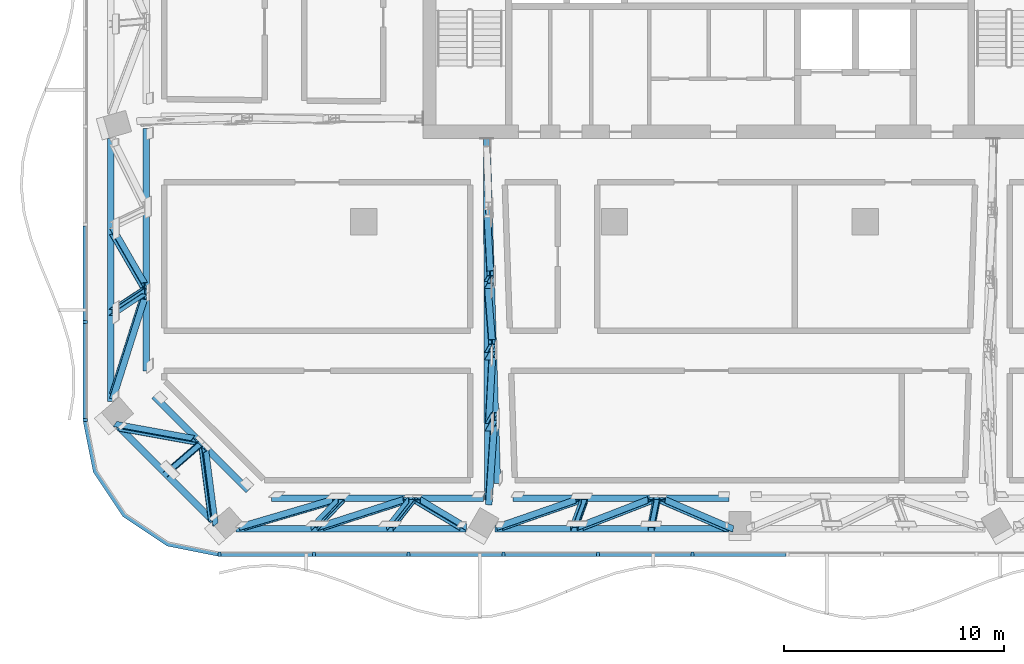
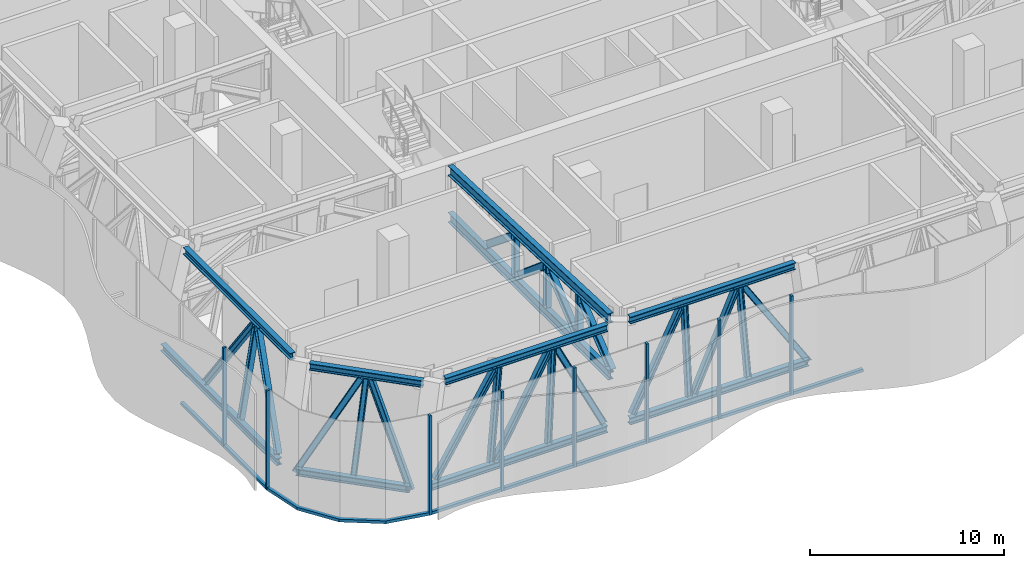
# One storey, part 2 of 29: 50 members, 3 elements without a shape of their own.
"""IFC4 building model written with IfcOpenShell, lengths in metres."""

from ifc_helpers import new_model, si_unit, direction, frame, origin, origin_2d, place, context, subcontext, project, spatial, polyline, rectangle, i_section, outline, extrude, material, material_profile, profile_set, type_object, element, aggregate, save


model = new_model("IFC4")

# Units and contexts
model_context = context("Model", 3, precision=1e-05, world=origin(), true_north=direction((0.0, 1.0)))
body_context = subcontext(model_context, "Body", "Model", "MODEL_VIEW")
ifc_project = project(units=[si_unit("LENGTHUNIT", "METRE"), si_unit("AREAUNIT", "SQUARE_METRE"), si_unit("VOLUMEUNIT", "CUBIC_METRE"), si_unit("PLANEANGLEUNIT", "RADIAN"), si_unit("MASSUNIT", "GRAM", prefix="KILO")], contexts=[model_context])

# Site, building, storey
site_placement = place(None, origin())
site = spatial("IfcSite", under=ifc_project, at=site_placement, CompositionType="ELEMENT")
building_placement = place(site_placement, origin())
building = spatial("IfcBuilding", under=site, at=building_placement, Name="Mopane Tessera Tower", CompositionType="ELEMENT")
storey_placement = place(building_placement, frame((0.0, 0.0, 315.39990234375)))
storey = spatial("IfcBuildingStorey", under=building, at=storey_placement, Name="L69", CompositionType="ELEMENT", Elevation=315.39990234375)

# Curtain wall, members
ifc_material_1 = material(Name="Aluminium frame", Category="aluminium")
curtain_wall_type = type_object("IfcCurtainWallType", Name="Plant floor unitised wall", PredefinedType="NOTDEFINED", material=ifc_material_1)
curtain_wall_1_placement = place(storey_placement, origin())
curtain_wall_1 = element("IfcCurtainWall", 1, at=curtain_wall_1_placement, inside=storey, type_object=curtain_wall_type, Name="e:cw:L69:S:0", PredefinedType="NOTDEFINED")
ifc_material_2 = material(Name="Aluminium frame", Category="aluminium")
ifc_material_profile_1 = material_profile(ifc_material_2, rectangle(XDim=0.139892578125, YDim=0.199951171875, at=origin_2d()))
ifc_profile_set_1 = profile_set([ifc_material_profile_1], Name="Aluminium frame")
member_type_1 = type_object("IfcMemberType", Name="Aluminium mullion 140 x 200", PredefinedType="MULLION", material=ifc_profile_set_1)
member_1_placement = place(storey_placement, frame((-23.64990234375, -26.10009765625, -0.599853515625), z_axis=(0.0, 0.0, 1.0), x_axis=(1.0, 0.0, 0.0)))
member_1 = element("IfcMember", 2, at=member_1_placement, type_object=member_type_1, Name="e:cw:L69:S:0:mu0", PredefinedType="MULLION", context=body_context, shape_type="SweptSolid", body=[
    extrude(rectangle(XDim=0.139892578125, YDim=0.199951171875, at=origin_2d()), origin(), (0.0, 0.0, 1.0), 6.25),
])
member_2_placement = place(storey_placement, frame((-19.35009765625, -26.10009765625, -0.599853515625), z_axis=(0.0, 0.0, 1.0), x_axis=(1.0, 0.0, 0.0)))
member_2 = element("IfcMember", 3, at=member_2_placement, type_object=member_type_1, Name="e:cw:L69:S:0:mu1", PredefinedType="MULLION", context=body_context, shape_type="SweptSolid", body=[
    extrude(rectangle(XDim=0.139892578125, YDim=0.199951171875, at=origin_2d()), origin(), (0.0, 0.0, 1.0), 6.25),
])
member_3_placement = place(storey_placement, frame((-15.050048828125, -26.10009765625, -0.599853515625), z_axis=(0.0, 0.0, 1.0), x_axis=(1.0, 0.0, 0.0)))
member_3 = element("IfcMember", 4, at=member_3_placement, type_object=member_type_1, Name="e:cw:L69:S:0:mu2", PredefinedType="MULLION", context=body_context, shape_type="SweptSolid", body=[
    extrude(rectangle(XDim=0.139892578125, YDim=0.199951171875, at=origin_2d()), origin(), (0.0, 0.0, 1.0), 6.25),
])
member_4_placement = place(storey_placement, frame((-10.75, -26.10009765625, -0.599853515625), z_axis=(0.0, 0.0, 1.0), x_axis=(1.0, 0.0, 0.0)))
member_4 = element("IfcMember", 5, at=member_4_placement, type_object=member_type_1, Name="e:cw:L69:S:0:mu3", PredefinedType="MULLION", context=body_context, shape_type="SweptSolid", body=[
    extrude(rectangle(XDim=0.139892578125, YDim=0.199951171875, at=origin_2d()), origin(), (0.0, 0.0, 1.0), 6.25),
])
member_5_placement = place(storey_placement, frame((-6.449951171875, -26.10009765625, -0.599853515625), z_axis=(0.0, 0.0, 1.0), x_axis=(1.0, 0.0, 0.0)))
member_5 = element("IfcMember", 6, at=member_5_placement, type_object=member_type_1, Name="e:cw:L69:S:0:mu4", PredefinedType="MULLION", context=body_context, shape_type="SweptSolid", body=[
    extrude(rectangle(XDim=0.139892578125, YDim=0.199951171875, at=origin_2d()), origin(), (0.0, 0.0, 1.0), 6.25),
])
member_6_placement = place(storey_placement, frame((-2.14990234375, -26.10009765625, -0.599853515625), z_axis=(0.0, 0.0, 1.0), x_axis=(1.0, 0.0, 0.0)))
member_6 = element("IfcMember", 7, at=member_6_placement, type_object=member_type_1, Name="e:cw:L69:S:0:mu5", PredefinedType="MULLION", context=body_context, shape_type="SweptSolid", body=[
    extrude(rectangle(XDim=0.139892578125, YDim=0.199951171875, at=origin_2d()), origin(), (0.0, 0.0, 1.0), 6.25),
])

curtain_wall_2_placement = place(storey_placement, origin())
curtain_wall_2 = element("IfcCurtainWall", 8, at=curtain_wall_2_placement, inside=storey, type_object=curtain_wall_type, Name="e:cw:L69:W:0", PredefinedType="NOTDEFINED")
member_7_placement = place(storey_placement, frame((-29.75, -15.5556640625, -0.599853515625), z_axis=(0.0, 0.0, 1.0), x_axis=(0.0, -1.0, 0.0)))
member_7 = element("IfcMember", 9, at=member_7_placement, type_object=member_type_1, Name="e:cw:L69:W:0:mu8", PredefinedType="MULLION", context=body_context, shape_type="SweptSolid", body=[
    extrude(rectangle(XDim=0.139892578125, YDim=0.199951171875, at=origin_2d()), origin(), (0.0, 0.0, 1.0), 6.25),
])
member_8_placement = place(storey_placement, frame((-29.75, -20.0, -0.599853515625), z_axis=(0.0, 0.0, 1.0), x_axis=(0.0, -1.0, 0.0)))
member_8 = element("IfcMember", 10, at=member_8_placement, type_object=member_type_1, Name="e:cw:L69:W:0:mu9", PredefinedType="MULLION", context=body_context, shape_type="SweptSolid", body=[
    extrude(rectangle(XDim=0.139892578125, YDim=0.199951171875, at=origin_2d()), origin(), (0.0, 0.0, 1.0), 6.25),
])

# Member
ifc_material_3 = material(Name="Aluminium frame", Category="aluminium")
ifc_material_profile_2 = material_profile(ifc_material_3, rectangle(XDim=0.199951171875, YDim=0.179931640625, at=origin_2d()))
ifc_profile_set_2 = profile_set([ifc_material_profile_2], Name="Aluminium frame")
member_type_2 = type_object("IfcMemberType", Name="Aluminium transom 200 x 180", PredefinedType="USERDEFINED", material=ifc_profile_set_2)
member_9_placement = place(storey_placement, frame((-23.580078125, -26.10009765625, -0.510009765625), z_axis=(1.0, 0.0, 0.0), x_axis=(0.0, 1.0, 0.0)))
member_9 = element("IfcMember", 11, at=member_9_placement, type_object=member_type_2, Name="e:cw:L69:S:0:tr0", ObjectType="TRANSOM", PredefinedType="USERDEFINED", context=body_context, shape_type="SweptSolid", body=[
    extrude(rectangle(XDim=0.199951171875, YDim=0.179931640625, at=origin_2d()), origin(), (0.0, 0.0, 1.0), 4.16015625),
])

member_10_placement = place(storey_placement, frame((-19.280029296875, -26.10009765625, -0.510009765625), z_axis=(1.0, 0.0, 0.0), x_axis=(0.0, 1.0, 0.0)))
member_10 = element("IfcMember", 12, at=member_10_placement, type_object=member_type_2, Name="e:cw:L69:S:0:tr1", ObjectType="TRANSOM", PredefinedType="USERDEFINED", context=body_context, shape_type="SweptSolid", body=[
    extrude(rectangle(XDim=0.199951171875, YDim=0.179931640625, at=origin_2d()), origin(), (0.0, 0.0, 1.0), 4.159912109375),
])

member_11_placement = place(storey_placement, frame((-14.97998046875, -26.10009765625, -0.510009765625), z_axis=(1.0, 0.0, 0.0), x_axis=(0.0, 1.0, 0.0)))
member_11 = element("IfcMember", 13, at=member_11_placement, type_object=member_type_2, Name="e:cw:L69:S:0:tr2", ObjectType="TRANSOM", PredefinedType="USERDEFINED", context=body_context, shape_type="SweptSolid", body=[
    extrude(rectangle(XDim=0.199951171875, YDim=0.179931640625, at=origin_2d()), origin(), (0.0, 0.0, 1.0), 4.159912109375),
])

member_12_placement = place(storey_placement, frame((-10.679931640625, -26.10009765625, -0.510009765625), z_axis=(1.0, 0.0, 0.0), x_axis=(0.0, 1.0, 0.0)))
member_12 = element("IfcMember", 14, at=member_12_placement, type_object=member_type_2, Name="e:cw:L69:S:0:tr3", ObjectType="TRANSOM", PredefinedType="USERDEFINED", context=body_context, shape_type="SweptSolid", body=[
    extrude(rectangle(XDim=0.199951171875, YDim=0.179931640625, at=origin_2d()), origin(), (0.0, 0.0, 1.0), 4.159912109375),
])

member_13_placement = place(storey_placement, frame((-6.3798828125, -26.10009765625, -0.510009765625), z_axis=(1.0, 0.0, 0.0), x_axis=(0.0, 1.0, 0.0)))
member_13 = element("IfcMember", 15, at=member_13_placement, type_object=member_type_2, Name="e:cw:L69:S:0:tr4", ObjectType="TRANSOM", PredefinedType="USERDEFINED", context=body_context, shape_type="SweptSolid", body=[
    extrude(rectangle(XDim=0.199951171875, YDim=0.179931640625, at=origin_2d()), origin(), (0.0, 0.0, 1.0), 4.159912109375),
])

member_14_placement = place(storey_placement, frame((-2.080078125, -26.10009765625, -0.510009765625), z_axis=(1.0, 0.0, 0.0), x_axis=(0.0, 1.0, 0.0)))
member_14 = element("IfcMember", 16, at=member_14_placement, type_object=member_type_2, Name="e:cw:L69:S:0:tr5", ObjectType="TRANSOM", PredefinedType="USERDEFINED", context=body_context, shape_type="SweptSolid", body=[
    extrude(rectangle(XDim=0.199951171875, YDim=0.179931640625, at=origin_2d()), origin(), (0.0, 0.0, 1.0), 4.16015625),
])

aggregate(curtain_wall_1, [member_1, member_2, member_3, member_4, member_5, member_6, member_9, member_10, member_11, member_12, member_13, member_14])

member_15_placement = place(storey_placement, frame((-29.75, -11.18115234375, -0.510009765625), z_axis=(0.0, -1.0, 0.0), x_axis=(1.0, 0.0, 0.0)))
member_15 = element("IfcMember", 17, at=member_15_placement, type_object=member_type_2, Name="e:cw:L69:W:0:tr7", ObjectType="TRANSOM", PredefinedType="USERDEFINED", context=body_context, shape_type="SweptSolid", body=[
    extrude(rectangle(XDim=0.199951171875, YDim=0.179931640625, at=origin_2d()), origin(), (0.0, 0.0, 1.0), 4.304443359375),
])

member_16_placement = place(storey_placement, frame((-29.75, -15.62548828125, -0.510009765625), z_axis=(0.0, -1.0, 0.0), x_axis=(1.0, 0.0, 0.0)))
member_16 = element("IfcMember", 18, at=member_16_placement, type_object=member_type_2, Name="e:cw:L69:W:0:tr8", ObjectType="TRANSOM", PredefinedType="USERDEFINED", context=body_context, shape_type="SweptSolid", body=[
    extrude(rectangle(XDim=0.199951171875, YDim=0.179931640625, at=origin_2d()), origin(), (0.0, 0.0, 1.0), 4.304443359375),
])

aggregate(curtain_wall_2, [member_7, member_8, member_15, member_16])

# Curtain wall, member
curtain_wall_3_placement = place(storey_placement, origin())
curtain_wall_3 = element("IfcCurtainWall", 19, at=curtain_wall_3_placement, inside=storey, type_object=curtain_wall_type, Name="e:cw:L69:CW", PredefinedType="NOTDEFINED")
member_17_placement = place(storey_placement, frame((0.0, 0.0, -0.599853515625)))
member_17 = element("IfcMember", 20, at=member_17_placement, type_object=member_type_2, Name="e:cw:L69:CW:tr", ObjectType="TRANSOM", PredefinedType="USERDEFINED", context=body_context, shape_type="SweptSolid", body=[
    extrude(outline(polyline([(-29.64990234375, -20.0), (-29.193359375, -22.296142578125), (-27.892578125, -24.24267578125), (-25.946044921875, -25.543212890625), (-23.64990234375, -26.0), (-23.64990234375, -26.199951171875), (-26.022705078125, -25.72802734375), (-28.0341796875, -24.384033203125), (-29.378173828125, -22.37255859375), (-29.85009765625, -20.0), (-29.64990234375, -20.0)])), origin(), (0.0, 0.0, 1.0), 0.179931640625),
])
aggregate(curtain_wall_3, [member_17])

# Members
ifc_material_4 = material(Name="Structural steel S460", Category="steel")
ifc_material_profile_3 = material_profile(ifc_material_4, i_section(OverallWidth=0.306884765625, OverallDepth=0.431884765625, WebThickness=0.02099609375, FlangeThickness=0.0400390625, FilletRadius=0.027099609375, at=origin_2d()))
ifc_profile_set_3 = profile_set([ifc_material_profile_3], Name="Structural steel S460")
member_type_3 = type_object("IfcMemberType", Name="Belt truss chord HE 400 M", PredefinedType="CHORD", material=ifc_profile_set_3)
member_18_placement = place(storey_placement, frame((-22.886474609375, -24.9423828125, 0.216064453125), z_axis=(1.0, 0.0, 0.0), x_axis=(0.0, 1.0, 0.0)))
element("IfcMember", 21, at=member_18_placement, inside=storey, type_object=member_type_3, Name="Belt truss bottom chord L69 S0-S1", PredefinedType="CHORD", context=body_context, shape_type="SweptSolid", body=[
    extrude(i_section(OverallWidth=0.306884765625, OverallDepth=0.431884765625, WebThickness=0.02099609375, FlangeThickness=0.0400390625, FilletRadius=0.027099609375, at=origin_2d()), origin(), (0.0, 0.0, 1.0), 10.42919921875),
])
member_19_placement = place(storey_placement, frame((-21.277587890625, -23.55078125, 5.43408203125), z_axis=(1.0, 0.0, 0.0), x_axis=(0.0, 1.0, 0.0)))
element("IfcMember", 22, at=member_19_placement, inside=storey, type_object=member_type_3, Name="Belt truss top chord L69 S0-S1", PredefinedType="CHORD", context=body_context, shape_type="SweptSolid", body=[
    extrude(i_section(OverallWidth=0.306884765625, OverallDepth=0.431884765625, WebThickness=0.02099609375, FlangeThickness=0.0400390625, FilletRadius=0.027099609375, at=origin_2d()), origin(), (0.0, 0.0, 1.0), 9.624755859375),
])
member_20_placement = place(storey_placement, frame((-11.1259765625, -24.9423828125, 0.216064453125), z_axis=(1.0, 0.0, 0.0), x_axis=(0.0, 1.0, 0.0)))
element("IfcMember", 23, at=member_20_placement, inside=storey, type_object=member_type_3, Name="Belt truss bottom chord L69 S1-S2", PredefinedType="CHORD", context=body_context, shape_type="SweptSolid", body=[
    extrude(i_section(OverallWidth=0.306884765625, OverallDepth=0.431884765625, WebThickness=0.02099609375, FlangeThickness=0.0400390625, FilletRadius=0.027099609375, at=origin_2d()), origin(), (0.0, 0.0, 1.0), 10.62646484375),
])
member_21_placement = place(storey_placement, frame((-10.321533203125, -23.55078125, 5.43408203125), z_axis=(1.0, 0.0, 0.0), x_axis=(0.0, 1.0, 0.0)))
element("IfcMember", 24, at=member_21_placement, inside=storey, type_object=member_type_3, Name="Belt truss top chord L69 S1-S2", PredefinedType="CHORD", context=body_context, shape_type="SweptSolid", body=[
    extrude(i_section(OverallWidth=0.306884765625, OverallDepth=0.431884765625, WebThickness=0.02099609375, FlangeThickness=0.0400390625, FilletRadius=0.027099609375, at=origin_2d()), origin(), (0.0, 0.0, 1.0), 9.822021484375),
])
member_22_placement = place(storey_placement, frame((-28.583251953125, -7.211669921875, 0.216064453125), z_axis=(0.0, -1.0, 0.0), x_axis=(1.0, 0.0, 0.0)))
element("IfcMember", 25, at=member_22_placement, inside=storey, type_object=member_type_3, Name="Belt truss bottom chord L69 W2-W3", PredefinedType="CHORD", context=body_context, shape_type="SweptSolid", body=[
    extrude(i_section(OverallWidth=0.306884765625, OverallDepth=0.431884765625, WebThickness=0.02099609375, FlangeThickness=0.0400390625, FilletRadius=0.027099609375, at=origin_2d()), origin(), (0.0, 0.0, 1.0), 11.948974609375),
])
member_23_placement = place(storey_placement, frame((-26.974609375, -6.747802734375, 5.43408203125), z_axis=(0.0, -1.0, 0.0), x_axis=(1.0, 0.0, 0.0)))
element("IfcMember", 26, at=member_23_placement, inside=storey, type_object=member_type_3, Name="Belt truss top chord L69 W2-W3", PredefinedType="CHORD", context=body_context, shape_type="SweptSolid", body=[
    extrude(i_section(OverallWidth=0.306884765625, OverallDepth=0.431884765625, WebThickness=0.02099609375, FlangeThickness=0.0400390625, FilletRadius=0.027099609375, at=origin_2d()), origin(), (0.0, 0.0, 1.0), 11.021484375),
])
member_24_placement = place(storey_placement, frame((-28.221435546875, -20.304443359375, 0.216064453125), z_axis=(0.707126967223, -0.707086594573, 0.0), x_axis=(0.707086594573, 0.707126967223, 0.0)))
element("IfcMember", 27, at=member_24_placement, inside=storey, type_object=member_type_3, Name="Belt truss bottom chord L69 W3-S0", PredefinedType="CHORD", context=body_context, shape_type="SweptSolid", body=[
    extrude(i_section(OverallWidth=0.306884765625, OverallDepth=0.431884765625, WebThickness=0.02099609375, FlangeThickness=0.0400390625, FilletRadius=0.027099609375, at=origin_2d()), origin(), (0.0, 0.0, 1.0), 6.047119140625),
])
member_25_placement = place(storey_placement, frame((-26.612548828125, -18.912841796875, 5.43408203125), z_axis=(0.707106781187, -0.707106781187, 0.0), x_axis=(0.707106781187, 0.707106781187, 0.0)))
element("IfcMember", 28, at=member_25_placement, inside=storey, type_object=member_type_3, Name="Belt truss top chord L69 W3-S0", PredefinedType="CHORD", context=body_context, shape_type="SweptSolid", body=[
    extrude(i_section(OverallWidth=0.306884765625, OverallDepth=0.431884765625, WebThickness=0.02099609375, FlangeThickness=0.0400390625, FilletRadius=0.027099609375, at=origin_2d()), origin(), (0.0, 0.0, 1.0), 6.04736328125),
])
ifc_material_5 = material(Name="Structural steel S460", Category="steel")
ifc_material_profile_4 = material_profile(ifc_material_5, i_section(OverallWidth=0.300048828125, OverallDepth=0.340087890625, WebThickness=0.011962890625, FlangeThickness=0.021484375, FilletRadius=0.027099609375, at=origin_2d()))
ifc_profile_set_4 = profile_set([ifc_material_profile_4], Name="Structural steel S460")
member_type_4 = type_object("IfcMemberType", Name="Belt truss diagonal HE 340 B", PredefinedType="BRACE", material=ifc_profile_set_4)
member_26_placement = place(storey_placement, frame((-22.63330078125, -24.869140625, 0.4912109375), z_axis=(0.659754288309, 0.193649960631, 0.726101901806), x_axis=(-0.130233888732, 0.981070686878, -0.143315880399)))
element("IfcMember", 29, at=member_26_placement, inside=storey, type_object=member_type_4, Name="Belt truss diagonal 0 L69 S0-S1", PredefinedType="BRACE", context=body_context, shape_type="SweptSolid", body=[
    extrude(i_section(OverallWidth=0.300048828125, OverallDepth=0.340087890625, WebThickness=0.011962890625, FlangeThickness=0.021484375, FilletRadius=0.027099609375, at=origin_2d()), origin(), (0.0, 0.0, 1.0), 6.428466796875),
])
member_27_placement = place(storey_placement, frame((-19.051025390625, -24.8701171875, 0.487060546875), z_axis=(0.625296176633, 0.201096321239, 0.754032466855), x_axis=(-0.128379262227, 0.9795714723, -0.154785321284)))
element("IfcMember", 30, at=member_27_placement, inside=storey, type_object=member_type_4, Name="Belt truss diagonal 1 L69 S0-S1", PredefinedType="BRACE", context=body_context, shape_type="SweptSolid", body=[
    extrude(i_section(OverallWidth=0.300048828125, OverallDepth=0.340087890625, WebThickness=0.011962890625, FlangeThickness=0.021484375, FilletRadius=0.027099609375, at=origin_2d()), origin(), (0.0, 0.0, 1.0), 6.201416015625),
])
member_28_placement = place(storey_placement, frame((-14.66552734375, -23.624267578125, 5.158935546875), z_axis=(0.396181712859, -0.23660465611, -0.887163055533), x_axis=(0.096501171402, 0.971606008673, -0.216030756671)))
element("IfcMember", 31, at=member_28_placement, inside=storey, type_object=member_type_4, Name="Belt truss diagonal 2 L69 S0-S1", PredefinedType="BRACE", context=body_context, shape_type="SweptSolid", body=[
    extrude(i_section(OverallWidth=0.300048828125, OverallDepth=0.340087890625, WebThickness=0.011962890625, FlangeThickness=0.021484375, FilletRadius=0.027099609375, at=origin_2d()), origin(), (0.0, 0.0, 1.0), 5.261474609375),
])
member_29_placement = place(storey_placement, frame((-10.918701171875, -24.86865234375, 0.492919921875), z_axis=(0.596995763075, 0.20672104206, 0.775153191079), x_axis=(-0.126136762894, 0.978399923737, -0.16377761226)))
element("IfcMember", 32, at=member_29_placement, inside=storey, type_object=member_type_4, Name="Belt truss diagonal 0 L69 S1-S2", PredefinedType="BRACE", context=body_context, shape_type="SweptSolid", body=[
    extrude(i_section(OverallWidth=0.300048828125, OverallDepth=0.340087890625, WebThickness=0.011962890625, FlangeThickness=0.021484375, FilletRadius=0.027099609375, at=origin_2d()), origin(), (0.0, 0.0, 1.0), 6.017333984375),
])
member_30_placement = place(storey_placement, frame((-7.265380859375, -24.86962890625, 0.489013671875), z_axis=(0.554643028362, 0.214429481651, 0.803984520055), x_axis=(-0.121783123263, 0.976739472372, -0.176490435997)))
element("IfcMember", 33, at=member_30_placement, inside=storey, type_object=member_type_4, Name="Belt truss diagonal 1 L69 S1-S2", PredefinedType="BRACE", context=body_context, shape_type="SweptSolid", body=[
    extrude(i_section(OverallWidth=0.300048828125, OverallDepth=0.340087890625, WebThickness=0.011962890625, FlangeThickness=0.021484375, FilletRadius=0.027099609375, at=origin_2d()), origin(), (0.0, 0.0, 1.0), 5.811279296875),
])
member_31_placement = place(storey_placement, frame((-3.53662109375, -23.624755859375, 5.1572265625), z_axis=(0.514516400372, -0.220925514314, -0.828531707826), x_axis=(0.116524647669, 0.975290682976, -0.187696803877)))
element("IfcMember", 34, at=member_31_placement, inside=storey, type_object=member_type_4, Name="Belt truss diagonal 2 L69 S1-S2", PredefinedType="BRACE", context=body_context, shape_type="SweptSolid", body=[
    extrude(i_section(OverallWidth=0.300048828125, OverallDepth=0.340087890625, WebThickness=0.011962890625, FlangeThickness=0.021484375, FilletRadius=0.027099609375, at=origin_2d()), origin(), (0.0, 0.0, 1.0), 6.00048828125),
])
member_32_placement = place(storey_placement, frame((-28.49560546875, -11.4228515625, 0.500244140625), z_axis=(0.262367213217, -0.454751960772, 0.851095822809), x_axis=(0.964968100359, 0.123548841915, -0.231456797158)))
element("IfcMember", 35, at=member_32_placement, inside=storey, type_object=member_type_4, Name="Belt truss diagonal 1 L69 W2-W3", PredefinedType="BRACE", context=body_context, shape_type="SweptSolid", body=[
    extrude(i_section(OverallWidth=0.300048828125, OverallDepth=0.340087890625, WebThickness=0.011962890625, FlangeThickness=0.021484375, FilletRadius=0.027099609375, at=origin_2d()), origin(), (0.0, 0.0, 1.0), 5.463134765625),
])
member_33_placement = place(storey_placement, frame((-27.063232421875, -14.396728515625, 5.146484375), z_axis=(-0.215656055351, -0.68132306213, -0.699493638856), x_axis=(0.976469388038, -0.150469293211, -0.154487947832)))
element("IfcMember", 36, at=member_33_placement, inside=storey, type_object=member_type_4, Name="Belt truss diagonal 2 L69 W2-W3", PredefinedType="BRACE", context=body_context, shape_type="SweptSolid", body=[
    extrude(i_section(OverallWidth=0.300048828125, OverallDepth=0.340087890625, WebThickness=0.011962890625, FlangeThickness=0.021484375, FilletRadius=0.027099609375, at=origin_2d()), origin(), (0.0, 0.0, 1.0), 6.637451171875),
])
member_34_placement = place(storey_placement, frame((-28.288818359375, -20.28173828125, 0.137939453125), z_axis=(0.571771583517, -0.103829266357, 0.813816158435), x_axis=(0.548844879528, 0.785707474973, -0.285364787573)))
element("IfcMember", 37, at=member_34_placement, inside=storey, type_object=member_type_4, Name="Belt truss diagonal 0 L69 W3-S0", PredefinedType="BRACE", context=body_context, shape_type="SweptSolid", body=[
    extrude(i_section(OverallWidth=0.300048828125, OverallDepth=0.340087890625, WebThickness=0.011962890625, FlangeThickness=0.021484375, FilletRadius=0.027099609375, at=origin_2d()), origin(), (0.0, 0.0, 1.0), 6.18408203125),
])
member_35_placement = place(storey_placement, frame((-24.3583984375, -21.318359375, 5.170654296875), z_axis=(0.071488391257, -0.549988329124, -0.832107113143), x_axis=(0.777153482013, 0.553649962132, -0.299172500117)))
element("IfcMember", 38, at=member_35_placement, inside=storey, type_object=member_type_4, Name="Belt truss diagonal 1 L69 W3-S0", PredefinedType="BRACE", context=body_context, shape_type="SweptSolid", body=[
    extrude(i_section(OverallWidth=0.300048828125, OverallDepth=0.340087890625, WebThickness=0.011962890625, FlangeThickness=0.021484375, FilletRadius=0.027099609375, at=origin_2d()), origin(), (0.0, 0.0, 1.0), 6.048095703125),
])
ifc_material_6 = material(Name="Structural steel S460", Category="steel")
ifc_material_profile_5 = material_profile(ifc_material_6, i_section(OverallWidth=0.300048828125, OverallDepth=0.300048828125, WebThickness=0.010986328125, FlangeThickness=0.01904296875, FilletRadius=0.027099609375, at=origin_2d()))
ifc_profile_set_5 = profile_set([ifc_material_profile_5], Name="Structural steel S460")
member_type_5 = type_object("IfcMemberType", Name="Belt truss post HE 300 B", PredefinedType="POST", material=ifc_profile_set_5)
member_36_placement = place(storey_placement, frame((-19.337646484375, -24.884765625, 0.43212890625), z_axis=(0.237935125406, 0.250286687248, 0.93847932864), x_axis=(-0.061516271204, 0.968171768925, -0.24260909759)))
element("IfcMember", 39, at=member_36_placement, inside=storey, type_object=member_type_5, Name="Belt truss post 1 L69 S0-S1", PredefinedType="POST", context=body_context, shape_type="SweptSolid", body=[
    extrude(i_section(OverallWidth=0.300048828125, OverallDepth=0.300048828125, WebThickness=0.010986328125, FlangeThickness=0.01904296875, FilletRadius=0.027099609375, at=origin_2d()), origin(), (0.0, 0.0, 1.0), 5.099609375),
])
member_37_placement = place(storey_placement, frame((-15.904052734375, -24.884765625, 0.43212890625), z_axis=(0.197480367847, 0.252612518498, 0.947200306067), x_axis=(-0.051652251698, 0.967567520565, -0.247275429517)))
element("IfcMember", 40, at=member_37_placement, inside=storey, type_object=member_type_5, Name="Belt truss post 2 L69 S0-S1", PredefinedType="POST", context=body_context, shape_type="SweptSolid", body=[
    extrude(i_section(OverallWidth=0.300048828125, OverallDepth=0.300048828125, WebThickness=0.010986328125, FlangeThickness=0.01904296875, FilletRadius=0.027099609375, at=origin_2d()), origin(), (0.0, 0.0, 1.0), 5.052734375),
])
member_38_placement = place(storey_placement, frame((-7.542236328125, -24.884765625, 0.43212890625), z_axis=(0.095139442992, 0.256518312512, 0.961845539436), x_axis=(-0.025189609701, 0.966539369047, -0.255278537375)))
element("IfcMember", 41, at=member_38_placement, inside=storey, type_object=member_type_5, Name="Belt truss post 1 L69 S1-S2", PredefinedType="POST", context=body_context, shape_type="SweptSolid", body=[
    extrude(i_section(OverallWidth=0.300048828125, OverallDepth=0.300048828125, WebThickness=0.010986328125, FlangeThickness=0.01904296875, FilletRadius=0.027099609375, at=origin_2d()), origin(), (0.0, 0.0, 1.0), 4.975830078125),
])
member_39_placement = place(storey_placement, frame((-4.038330078125, -24.884765625, 0.43212890625), z_axis=(0.051096004315, 0.257350588206, 0.964966254899), x_axis=(-0.0136135181, 0.966318102242, -0.256990267139)))
element("IfcMember", 42, at=member_39_placement, inside=storey, type_object=member_type_5, Name="Belt truss post 2 L69 S1-S2", PredefinedType="POST", context=body_context, shape_type="SweptSolid", body=[
    extrude(i_section(OverallWidth=0.300048828125, OverallDepth=0.300048828125, WebThickness=0.010986328125, FlangeThickness=0.01904296875, FilletRadius=0.027099609375, at=origin_2d()), origin(), (0.0, 0.0, 1.0), 4.959716796875),
])
member_40_placement = place(storey_placement, frame((-28.5166015625, -15.10888671875, 0.43212890625), z_axis=(0.289217477998, 0.19009959004, 0.938197951547), x_axis=(0.95726341728, -0.057415308249, -0.283461165447)))
element("IfcMember", 43, at=member_40_placement, inside=storey, type_object=member_type_5, Name="Belt truss post 2 L69 W2-W3", PredefinedType="POST", context=body_context, shape_type="SweptSolid", body=[
    extrude(i_section(OverallWidth=0.300048828125, OverallDepth=0.300048828125, WebThickness=0.010986328125, FlangeThickness=0.01904296875, FilletRadius=0.027099609375, at=origin_2d()), origin(), (0.0, 0.0, 1.0), 5.10107421875),
])
member_41_placement = place(storey_placement, frame((-26.0166015625, -22.384765625, 0.43212890625), z_axis=(0.285464313848, 0.246964658745, 0.926022992614), x_axis=(0.647192790355, 0.662967266619, -0.376318874764)))
element("IfcMember", 44, at=member_41_placement, inside=storey, type_object=member_type_5, Name="Belt truss post 1 L69 W3-S0", PredefinedType="POST", context=body_context, shape_type="SweptSolid", body=[
    extrude(i_section(OverallWidth=0.300048828125, OverallDepth=0.300048828125, WebThickness=0.010986328125, FlangeThickness=0.01904296875, FilletRadius=0.027099609375, at=origin_2d()), origin(), (0.0, 0.0, 1.0), 5.168212890625),
])
ifc_material_7 = material(Name="Structural steel S460", Category="steel")
ifc_material_profile_6 = material_profile(ifc_material_7, i_section(OverallWidth=0.304931640625, OverallDepth=0.6201171875, WebThickness=0.02099609375, FlangeThickness=0.0400390625, FilletRadius=0.027099609375, at=origin_2d()))
ifc_profile_set_6 = profile_set([ifc_material_profile_6], Name="Structural steel S460")
member_type_6 = type_object("IfcMemberType", Name="Outrigger truss chord HE 600 M", PredefinedType="CHORD", material=ifc_profile_set_6)
member_42_placement = place(storey_placement, frame((-11.501220703125, -7.21484375, 2.41015625), z_axis=(0.002796734127, -0.999996089131, 0.0), x_axis=(0.999996089131, 0.002796734127, 0.0)))
element("IfcMember", 45, at=member_42_placement, inside=storey, type_object=member_type_6, Name="Outrigger truss bottom chord L69 S1", PredefinedType="CHORD", context=body_context, shape_type="SweptSolid", body=[
    extrude(i_section(OverallWidth=0.304931640625, OverallDepth=0.6201171875, WebThickness=0.02099609375, FlangeThickness=0.0400390625, FilletRadius=0.027099609375, at=origin_2d()), origin(), (0.0, 0.0, 1.0), 16.411376953125),
])
member_43_placement = place(storey_placement, frame((-11.500732421875, -7.21484375, 5.340087890625), z_axis=(0.030489115583, -0.999535098849, 0.0), x_axis=(0.999535098849, 0.030489115583, 0.0)))
element("IfcMember", 46, at=member_43_placement, inside=storey, type_object=member_type_6, Name="Outrigger truss top chord L69 S1", PredefinedType="CHORD", context=body_context, shape_type="SweptSolid", body=[
    extrude(i_section(OverallWidth=0.304931640625, OverallDepth=0.6201171875, WebThickness=0.02099609375, FlangeThickness=0.0400390625, FilletRadius=0.027099609375, at=origin_2d()), origin(), (0.0, 0.0, 1.0), 15.670654296875),
])
ifc_material_8 = material(Name="Structural steel S460", Category="steel")
ifc_material_profile_7 = material_profile(ifc_material_8, i_section(OverallWidth=0.300048828125, OverallDepth=0.449951171875, WebThickness=0.013916015625, FlangeThickness=0.02587890625, FilletRadius=0.027099609375, at=origin_2d()))
ifc_profile_set_7 = profile_set([ifc_material_profile_7], Name="Structural steel S460")
member_type_7 = type_object("IfcMemberType", Name="Outrigger truss diagonal HE 450 B", PredefinedType="BRACE", material=ifc_profile_set_7)
member_44_placement = place(storey_placement, frame((-11.47509765625, -10.89697265625, 2.876220703125), z_axis=(0.042070871903, -0.775965313773, 0.629371014234), x_axis=(0.999113156367, 0.033755939858, -0.02516818029)))
element("IfcMember", 47, at=member_44_placement, inside=storey, type_object=member_type_7, Name="Outrigger truss diagonal 1 L69 S1", PredefinedType="BRACE", context=body_context, shape_type="SweptSolid", body=[
    extrude(i_section(OverallWidth=0.300048828125, OverallDepth=0.449951171875, WebThickness=0.013916015625, FlangeThickness=0.02587890625, FilletRadius=0.027099609375, at=origin_2d()), origin(), (0.0, 0.0, 1.0), 3.17431640625),
])
member_45_placement = place(storey_placement, frame((-11.45263671875, -14.11962890625, 2.876220703125), z_axis=(0.061984678787, -0.762088630174, 0.644498890111), x_axis=(0.998075398804, 0.048521358698, -0.038615748759)))
element("IfcMember", 48, at=member_45_placement, inside=storey, type_object=member_type_7, Name="Outrigger truss diagonal 2 L69 S1", PredefinedType="BRACE", context=body_context, shape_type="SweptSolid", body=[
    extrude(i_section(OverallWidth=0.300048828125, OverallDepth=0.449951171875, WebThickness=0.013916015625, FlangeThickness=0.02587890625, FilletRadius=0.027099609375, at=origin_2d()), origin(), (0.0, 0.0, 1.0), 3.099853515625),
])
member_46_placement = place(storey_placement, frame((-11.24658203125, -17.02490234375, 4.8740234375), z_axis=(-0.045822423341, -0.829698597115, -0.556327730268), x_axis=(0.998948343308, -0.037174972086, -0.026837079806)))
element("IfcMember", 49, at=member_46_placement, inside=storey, type_object=member_type_7, Name="Outrigger truss diagonal 3 L69 S1", PredefinedType="BRACE", context=body_context, shape_type="SweptSolid", body=[
    extrude(i_section(OverallWidth=0.300048828125, OverallDepth=0.449951171875, WebThickness=0.013916015625, FlangeThickness=0.02587890625, FilletRadius=0.027099609375, at=origin_2d()), origin(), (0.0, 0.0, 1.0), 3.591064453125),
])
member_47_placement = place(storey_placement, frame((-11.16650390625, -20.140869140625, 4.8681640625), z_axis=(-0.058576595295, -0.853884368836, -0.517155940835), x_axis=(0.998281893787, -0.049361881566, -0.031570004534)))
element("IfcMember", 50, at=member_47_placement, inside=storey, type_object=member_type_7, Name="Outrigger truss diagonal 4 L69 S1", PredefinedType="BRACE", context=body_context, shape_type="SweptSolid", body=[
    extrude(i_section(OverallWidth=0.300048828125, OverallDepth=0.449951171875, WebThickness=0.013916015625, FlangeThickness=0.02587890625, FilletRadius=0.027099609375, at=origin_2d()), origin(), (0.0, 0.0, 1.0), 4.20947265625),
])
ifc_material_9 = material(Name="Structural steel S460", Category="steel")
ifc_material_profile_8 = material_profile(ifc_material_9, i_section(OverallWidth=0.300048828125, OverallDepth=0.360107421875, WebThickness=0.012451171875, FlangeThickness=0.0224609375, FilletRadius=0.027099609375, at=origin_2d()))
ifc_profile_set_8 = profile_set([ifc_material_profile_8], Name="Structural steel S460")
member_type_8 = type_object("IfcMemberType", Name="Outrigger truss post HE 360 B", PredefinedType="POST", material=ifc_profile_set_8)
member_48_placement = place(storey_placement, frame((-11.4638671875, -13.855712890625, 2.72021484375), z_axis=(0.059607658326, 0.103263971466, 0.992866294758), x_axis=(0.998215985716, -0.002747410826, -0.059643085048)))
element("IfcMember", 51, at=member_48_placement, inside=storey, type_object=member_type_8, Name="Outrigger truss post 2 L69 S1", PredefinedType="POST", context=body_context, shape_type="SweptSolid", body=[
    extrude(i_section(OverallWidth=0.300048828125, OverallDepth=0.360107421875, WebThickness=0.012451171875, FlangeThickness=0.0224609375, FilletRadius=0.027099609375, at=origin_2d()), origin(), (0.0, 0.0, 1.0), 2.326416015625),
])
member_49_placement = place(storey_placement, frame((-11.44580078125, -17.086181640625, 2.72021484375), z_axis=(0.087822672568, 0.152024792206, 0.984467186217), x_axis=(0.996131383415, -0.010353869728, -0.087264336109)))
element("IfcMember", 52, at=member_49_placement, inside=storey, type_object=member_type_8, Name="Outrigger truss post 3 L69 S1", PredefinedType="POST", context=body_context, shape_type="SweptSolid", body=[
    extrude(i_section(OverallWidth=0.300048828125, OverallDepth=0.360107421875, WebThickness=0.012451171875, FlangeThickness=0.0224609375, FilletRadius=0.027099609375, at=origin_2d()), origin(), (0.0, 0.0, 1.0), 2.34619140625),
])
member_50_placement = place(storey_placement, frame((-11.427734375, -20.316650390625, 2.72021484375), z_axis=(0.115299638037, 0.199434431894, 0.973104260007), x_axis=(0.993327008674, -0.020457660821, -0.113503030588)))
element("IfcMember", 53, at=member_50_placement, inside=storey, type_object=member_type_8, Name="Outrigger truss post 4 L69 S1", PredefinedType="POST", context=body_context, shape_type="SweptSolid", body=[
    extrude(i_section(OverallWidth=0.300048828125, OverallDepth=0.360107421875, WebThickness=0.012451171875, FlangeThickness=0.0224609375, FilletRadius=0.027099609375, at=origin_2d()), origin(), (0.0, 0.0, 1.0), 2.37353515625),
])

save(model, "model.ifc")
